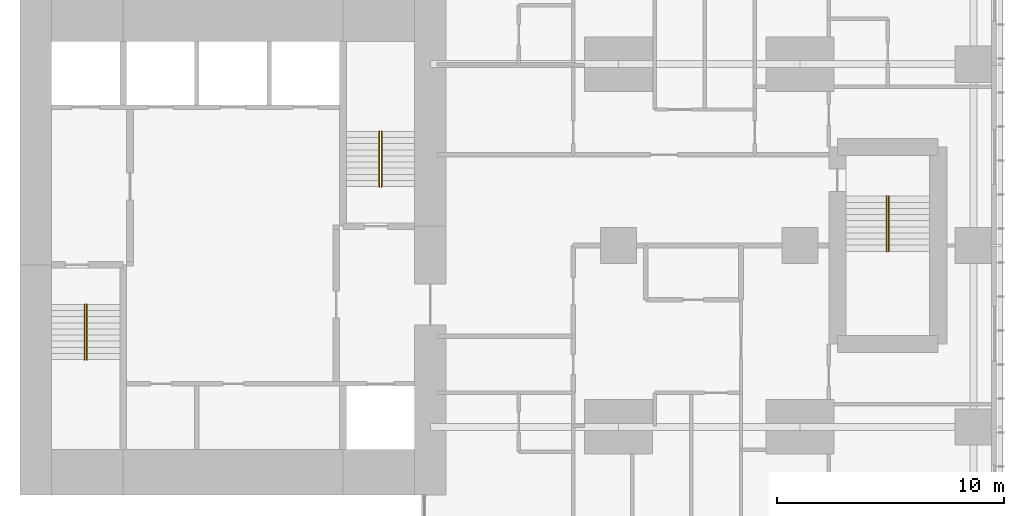
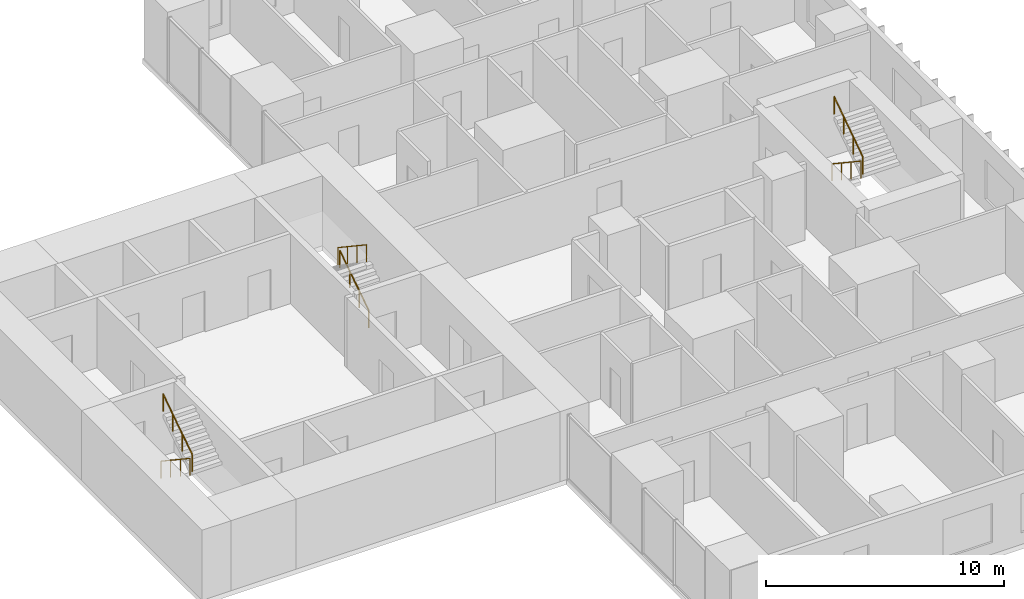
# One storey, part 12 of 12: 6 railings.
"""IFC4 building model written with IfcOpenShell, lengths in metres."""

from ifc_helpers import new_model, si_unit, direction, frame, origin, origin_2d, place, context, subcontext, project, spatial, circle, extrude, material, type_object, element, save


model = new_model("IFC4")

# Units and contexts
model_context = context("Model", 3, precision=1e-05, world=origin(), true_north=direction((0.0, 1.0)))
body_context = subcontext(model_context, "Body", "Model", "MODEL_VIEW")
ifc_project = project(units=[si_unit("LENGTHUNIT", "METRE"), si_unit("AREAUNIT", "SQUARE_METRE"), si_unit("VOLUMEUNIT", "CUBIC_METRE"), si_unit("PLANEANGLEUNIT", "RADIAN"), si_unit("MASSUNIT", "GRAM", prefix="KILO")], contexts=[model_context])

# Site, building, storey
site_placement = place(None, origin())
site = spatial("IfcSite", under=ifc_project, at=site_placement, CompositionType="ELEMENT")
building_placement = place(site_placement, origin())
building = spatial("IfcBuilding", under=site, at=building_placement, Name="Cleftline Residences", CompositionType="ELEMENT")
storey_placement = place(building_placement, frame((0.0, 0.0, 237.60009765625)))
storey = spatial("IfcBuildingStorey", under=building, at=storey_placement, Name="L62", CompositionType="ELEMENT", Elevation=237.60009765625)

# Railings
ifc_material = material(Name="Stainless steel", Category="steel")
railing_type = type_object("IfcRailingType", Name="HANDRAIL 900", PredefinedType="HANDRAIL", material=ifc_material)
railing_1_placement = place(storey_placement, frame((26.449951171875, 21.39990234375, 0.179931640625)))
element("IfcRailing", 1, at=railing_1_placement, inside=storey, type_object=railing_type, Name="Stair handrail", PredefinedType="HANDRAIL", context=body_context, shape_type="SweptSolid", body=[
    extrude(circle(Radius=0.02392578125, at=origin_2d()), frame((0.0, 0.0, 0.8759765625), z_axis=(0.0, -0.832063155534, 0.554680903946), x_axis=(1.0, 0.0, 0.0)), (0.0, 0.0, 1.0), 2.92041015625),
    extrude(circle(Radius=0.02099609375, at=origin_2d()), origin(), (0.0, 0.0, 1.0), 0.851806640625),
    extrude(circle(Radius=0.02099609375, at=origin_2d()), frame((0.0, -0.81005859375, 0.5400390625)), (0.0, 0.0, 1.0), 0.851806640625),
    extrude(circle(Radius=0.02099609375, at=origin_2d()), frame((0.0, -1.619873046875, 1.079833984375)), (0.0, 0.0, 1.0), 0.851806640625),
    extrude(circle(Radius=0.02099609375, at=origin_2d()), frame((0.0, -2.429931640625, 1.619873046875)), (0.0, 0.0, 1.0), 0.851806640625),
])
for number, where, name in (
    (2, (26.550048828125, 18.969970703125, 1.97998046875), "Stair handrail"),
    (3, (39.550048828125, 26.60009765625, 0.179931640625), "Stair handrail"),
):
    element("IfcRailing", number, at=place(storey_placement, frame(where)), inside=storey, type_object=railing_type, Name=name, PredefinedType="HANDRAIL", context=body_context, shape_type="SweptSolid", body=[
        extrude(circle(Radius=0.02392578125, at=origin_2d()), frame((0.0, 0.0, 0.8759765625), z_axis=(0.0, 0.832063155534, 0.554680903946), x_axis=(-1.0, 0.0, 0.0)), (0.0, 0.0, 1.0), 2.92041015625),
        extrude(circle(Radius=0.02099609375, at=origin_2d()), origin(), (0.0, 0.0, 1.0), 0.851806640625),
        extrude(circle(Radius=0.02099609375, at=origin_2d()), frame((0.0, 0.81005859375, 0.5400390625)), (0.0, 0.0, 1.0), 0.851806640625),
        extrude(circle(Radius=0.02099609375, at=origin_2d()), frame((0.0, 1.619873046875, 1.079833984375)), (0.0, 0.0, 1.0), 0.851806640625),
        extrude(circle(Radius=0.02099609375, at=origin_2d()), frame((0.0, 2.429931640625, 1.619873046875)), (0.0, 0.0, 1.0), 0.851806640625),
    ])
for number, where, name in (
    (4, (39.449951171875, 29.030029296875, 1.97998046875), "Stair handrail"),
    (5, (61.824951171875, 26.175048828125, 0.179931640625), "Stair handrail"),
):
    element("IfcRailing", number, at=place(storey_placement, frame(where)), inside=storey, type_object=railing_type, Name=name, PredefinedType="HANDRAIL", context=body_context, shape_type="SweptSolid", body=[
        extrude(circle(Radius=0.02392578125, at=origin_2d()), frame((0.0, 0.0, 0.8759765625), z_axis=(0.0, -0.832063155534, 0.554680903946), x_axis=(1.0, 0.0, 0.0)), (0.0, 0.0, 1.0), 2.92041015625),
        extrude(circle(Radius=0.02099609375, at=origin_2d()), origin(), (0.0, 0.0, 1.0), 0.851806640625),
        extrude(circle(Radius=0.02099609375, at=origin_2d()), frame((0.0, -0.81005859375, 0.5400390625)), (0.0, 0.0, 1.0), 0.851806640625),
        extrude(circle(Radius=0.02099609375, at=origin_2d()), frame((0.0, -1.619873046875, 1.079833984375)), (0.0, 0.0, 1.0), 0.851806640625),
        extrude(circle(Radius=0.02099609375, at=origin_2d()), frame((0.0, -2.429931640625, 1.619873046875)), (0.0, 0.0, 1.0), 0.851806640625),
    ])
railing_2_placement = place(storey_placement, frame((61.925048828125, 23.7451171875, 1.97998046875)))
element("IfcRailing", 6, at=railing_2_placement, inside=storey, type_object=railing_type, Name="Stair handrail", PredefinedType="HANDRAIL", context=body_context, shape_type="SweptSolid", body=[
    extrude(circle(Radius=0.02392578125, at=origin_2d()), frame((0.0, 0.0, 0.8759765625), z_axis=(0.0, 0.832063155534, 0.554680903946), x_axis=(-1.0, 0.0, 0.0)), (0.0, 0.0, 1.0), 2.92041015625),
    extrude(circle(Radius=0.02099609375, at=origin_2d()), origin(), (0.0, 0.0, 1.0), 0.851806640625),
    extrude(circle(Radius=0.02099609375, at=origin_2d()), frame((0.0, 0.81005859375, 0.5400390625)), (0.0, 0.0, 1.0), 0.851806640625),
    extrude(circle(Radius=0.02099609375, at=origin_2d()), frame((0.0, 1.619873046875, 1.079833984375)), (0.0, 0.0, 1.0), 0.851806640625),
    extrude(circle(Radius=0.02099609375, at=origin_2d()), frame((0.0, 2.429931640625, 1.619873046875)), (0.0, 0.0, 1.0), 0.851806640625),
])

save(model, "model.ifc")
